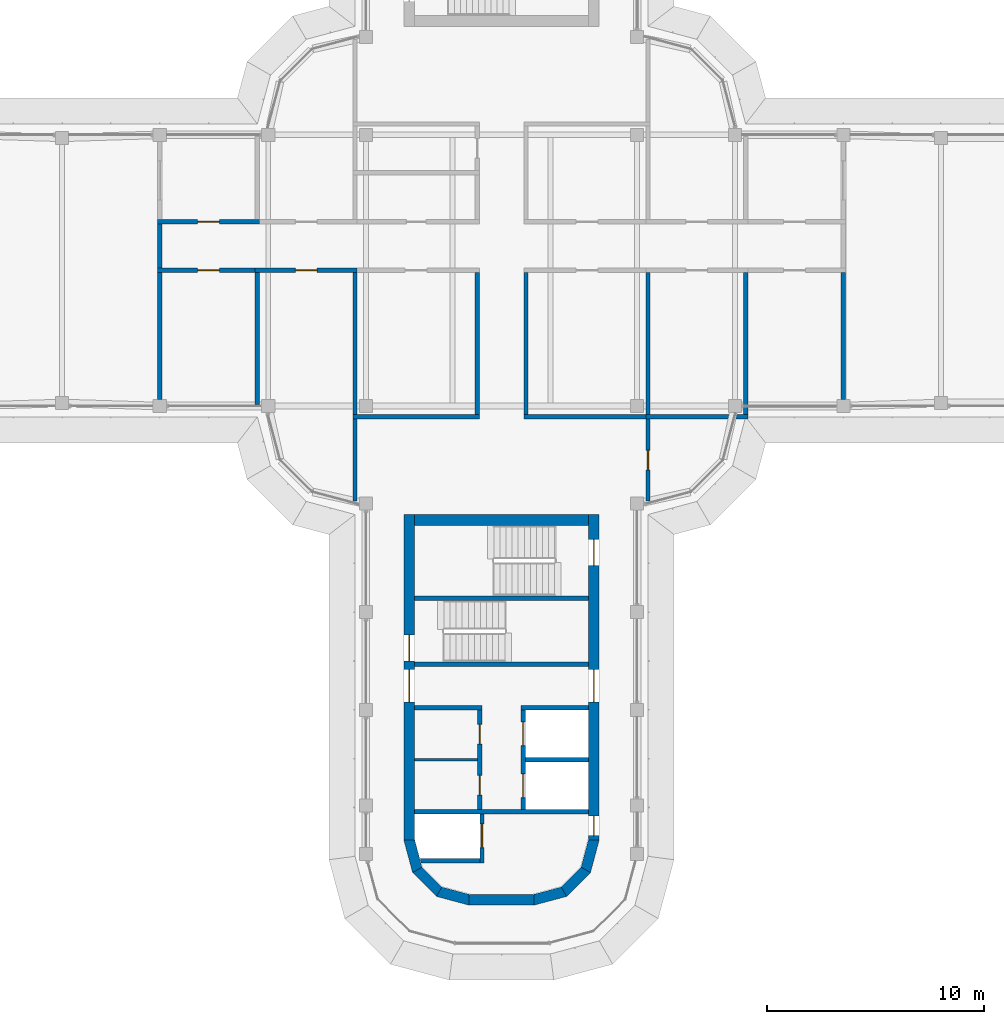
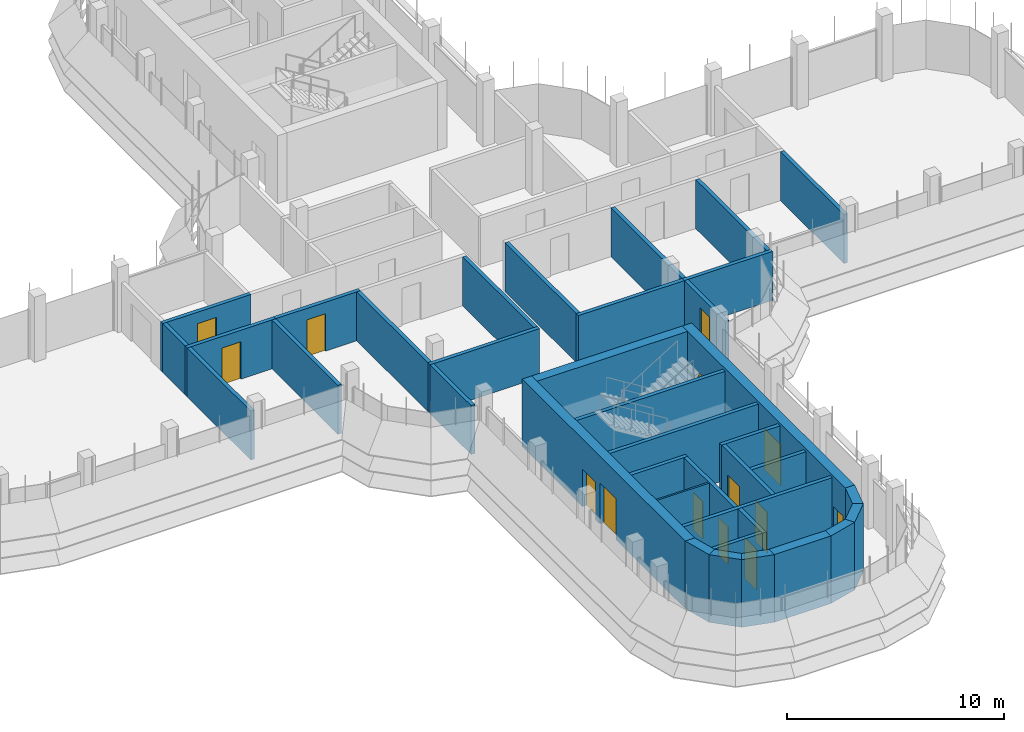
# One storey, part 13 of 19: 38 walls, 14 doors, 14 openings.
"""IFC4 building model written with IfcOpenShell, lengths in metres."""

from ifc_helpers import new_model, si_unit, direction, frame, frame_2d, origin, place, context, subcontext, project, spatial, polyline, rectangle, outline, extrude, material, layer, layer_set, type_object, element, fill, save


model = new_model("IFC4")

# Units and contexts
model_context = context("Model", 3, precision=1e-05, world=origin(), true_north=direction((0.0, 1.0)))
body_context = subcontext(model_context, "Body", "Model", "MODEL_VIEW")
ifc_project = project(units=[si_unit("LENGTHUNIT", "METRE"), si_unit("AREAUNIT", "SQUARE_METRE"), si_unit("VOLUMEUNIT", "CUBIC_METRE"), si_unit("PLANEANGLEUNIT", "RADIAN"), si_unit("MASSUNIT", "GRAM", prefix="KILO")], contexts=[model_context])

# Site, building, storey
site_placement = place(None, origin())
site = spatial("IfcSite", under=ifc_project, at=site_placement, CompositionType="ELEMENT")
building_placement = place(site_placement, origin())
building = spatial("IfcBuilding", under=site, at=building_placement, Name="Zarbagh Exchange Tower", CompositionType="ELEMENT")
storey_placement = place(building_placement, frame((0.0, 0.0, 257.39990234375)))
storey = spatial("IfcBuildingStorey", under=building, at=storey_placement, Name="L63", CompositionType="ELEMENT", Elevation=257.39990234375)

# Wall
ifc_material_1 = material(Name="Dense blockwork", Category="masonry")
ifc_layer_1 = layer(ifc_material_1, 0.10009765625)
ifc_layer_set_1 = layer_set([ifc_layer_1], Name="Core partition 100 mm blockwork")
wall_type_1 = type_object("IfcWallType", Name="Core partition 100 mm blockwork", PredefinedType="PARTITIONING", material=ifc_layer_set_1)
wall_1_placement = place(storey_placement, frame((-1.10009765625, -22.550048828125, 0.0), z_axis=(0.0, 0.0, 1.0), x_axis=(-1.0, 0.0, 0.0)))
element("IfcWall", 1, at=wall_1_placement, inside=storey, type_object=wall_type_1, Name="South core partition wall CUT-E-580", PredefinedType="PARTITIONING", context=body_context, shape_type="SweptSolid", body=[
    extrude(rectangle(XDim=2.89990234375, YDim=0.10009765625, at=frame_2d((1.449951171875, 0.0))), origin(), (0.0, 0.0, 1.0), 3.650146484375),
])

# Wall, opening, door
ifc_material_2 = material(Name="Fire-rated plasterboard partition")
ifc_layer_2 = layer(ifc_material_2, 0.199951171875)
ifc_layer_set_2 = layer_set([ifc_layer_2], Name="RATED PARTITION 200")
wall_type_2 = type_object("IfcWallType", Name="RATED PARTITION 200", PredefinedType="PARTITIONING", material=ifc_layer_set_2)
wall_2_placement = place(storey_placement, frame((-6.64990234375, 0.0, 0.0), z_axis=(0.0, 0.0, 1.0), x_axis=(-1.0, 0.0, 0.0)))
wall_2 = element("IfcWall", 2, at=wall_2_placement, inside=storey, type_object=wall_type_2, Name="Partition W-2708", PredefinedType="PARTITIONING", context=body_context, shape_type="SweptSolid", body=[
    extrude(rectangle(XDim=4.7001953125, YDim=0.199951171875, at=frame_2d((2.35009765625, 0.0))), origin(), (0.0, 0.0, 1.0), 2.75),
])
opening_1_placement = place(wall_2_placement, frame((1.85009765625, 0.0, 0.0)))
opening_1 = element("IfcOpeningElement", 3, at=opening_1_placement, cuts=wall_2, Name="Opening D-2713", PredefinedType="OPENING", context=body_context, shape_type="SweptSolid", body=[
    extrude(rectangle(XDim=1.0, YDim=2.10009765625, at=frame_2d((0.5, 1.050048828125))), frame((0.0, 0.10986328125, 0.0), z_axis=(0.0, -1.0, 0.0), x_axis=(1.0, 0.0, 0.0)), (0.0, 0.0, 1.0), 0.219970703125),
])
ifc_material_3 = material(Name="Steel door set", Category="steel")
door_type_1 = type_object("IfcDoorType", Name="FIRE DOOR 1000 X 2100 FD30S", OperationType="NOTDEFINED", PredefinedType="DOOR", material=ifc_material_3)
door_1_placement = place(opening_1_placement, origin())
door_1 = element("IfcDoor", 4, at=door_1_placement, inside=storey, type_object=door_type_1, Name="Door D-2713", OperationType="SINGLE_SWING_RIGHT", OverallHeight=2.10009765625, OverallWidth=1.0, PredefinedType="DOOR", context=body_context, shape_type="SweptSolid", body=[
    extrude(rectangle(XDim=1.0, YDim=2.10009765625, at=frame_2d((0.5, 1.050048828125))), frame((0.0, 0.02490234375, 0.0), z_axis=(0.0, -1.0, 0.0), x_axis=(1.0, 0.0, 0.0)), (0.0, 0.0, 1.0), 0.050048828125),
])
fill(opening_1, door_1)

wall_3_placement = place(storey_placement, frame((-15.85009765625, 2.25, 0.0), z_axis=(0.0, 0.0, 1.0), x_axis=(1.0, 0.0, 0.0)))
wall_3 = element("IfcWall", 5, at=wall_3_placement, inside=storey, type_object=wall_type_2, Name="Partition W-2712", PredefinedType="PARTITIONING", context=body_context, shape_type="SweptSolid", body=[
    extrude(rectangle(XDim=4.7001953125, YDim=0.199951171875, at=frame_2d((2.35009765625, 0.0))), origin(), (0.0, 0.0, 1.0), 2.75),
])
opening_2_placement = place(wall_3_placement, frame((1.85009765625, 0.0, 0.0)))
opening_2 = element("IfcOpeningElement", 6, at=opening_2_placement, cuts=wall_3, Name="Opening D-2715", PredefinedType="OPENING", context=body_context, shape_type="SweptSolid", body=[
    extrude(rectangle(XDim=1.0, YDim=2.10009765625, at=frame_2d((0.5, 1.050048828125))), frame((0.0, 0.10986328125, 0.0), z_axis=(0.0, -1.0, 0.0), x_axis=(1.0, 0.0, 0.0)), (0.0, 0.0, 1.0), 0.219970703125),
])
door_2_placement = place(opening_2_placement, origin())
door_2 = element("IfcDoor", 7, at=door_2_placement, inside=storey, type_object=door_type_1, Name="Door D-2715", OperationType="SINGLE_SWING_RIGHT", OverallHeight=2.10009765625, OverallWidth=1.0, PredefinedType="DOOR", context=body_context, shape_type="SweptSolid", body=[
    extrude(rectangle(XDim=1.0, YDim=2.10009765625, at=frame_2d((0.5, 1.050048828125))), frame((0.0, 0.02490234375, 0.0), z_axis=(0.0, -1.0, 0.0), x_axis=(1.0, 0.0, 0.0)), (0.0, 0.0, 1.0), 0.050048828125),
])
fill(opening_2, door_2)

wall_4_placement = place(storey_placement, frame((-11.14990234375, 0.0, 0.0), z_axis=(0.0, 0.0, 1.0), x_axis=(-1.0, 0.0, 0.0)))
wall_4 = element("IfcWall", 8, at=wall_4_placement, inside=storey, type_object=wall_type_2, Name="Partition W-2713", PredefinedType="PARTITIONING", context=body_context, shape_type="SweptSolid", body=[
    extrude(rectangle(XDim=4.7001953125, YDim=0.199951171875, at=frame_2d((2.35009765625, 0.0))), origin(), (0.0, 0.0, 1.0), 2.75),
])
opening_3_placement = place(wall_4_placement, frame((1.85009765625, 0.0, 0.0)))
opening_3 = element("IfcOpeningElement", 9, at=opening_3_placement, cuts=wall_4, Name="Opening D-2716", PredefinedType="OPENING", context=body_context, shape_type="SweptSolid", body=[
    extrude(rectangle(XDim=1.0, YDim=2.10009765625, at=frame_2d((0.5, 1.050048828125))), frame((0.0, 0.10986328125, 0.0), z_axis=(0.0, -1.0, 0.0), x_axis=(1.0, 0.0, 0.0)), (0.0, 0.0, 1.0), 0.219970703125),
])
door_3_placement = place(opening_3_placement, origin())
door_3 = element("IfcDoor", 10, at=door_3_placement, inside=storey, type_object=door_type_1, Name="Door D-2716", OperationType="SINGLE_SWING_RIGHT", OverallHeight=2.10009765625, OverallWidth=1.0, PredefinedType="DOOR", context=body_context, shape_type="SweptSolid", body=[
    extrude(rectangle(XDim=1.0, YDim=2.10009765625, at=frame_2d((0.5, 1.050048828125))), frame((0.0, 0.02490234375, 0.0), z_axis=(0.0, -1.0, 0.0), x_axis=(1.0, 0.0, 0.0)), (0.0, 0.0, 1.0), 0.050048828125),
])
fill(opening_3, door_3)

# Walls
wall_5_placement = place(storey_placement, frame((-15.75, 0.10009765625, 0.0), z_axis=(0.0, 0.0, 1.0), x_axis=(0.0, 1.0, 0.0)))
element("IfcWall", 11, at=wall_5_placement, inside=storey, type_object=wall_type_2, Name="Partition W-2714", PredefinedType="PARTITIONING", context=body_context, shape_type="SweptSolid", body=[
    extrude(rectangle(XDim=2.0498046875, YDim=0.199951171875, at=frame_2d((1.02490234375, 0.0))), origin(), (0.0, 0.0, 1.0), 2.75),
])
for number, where, z_axis, x_axis, name in (
    (12, (1.125, -6.64990234375, 0.0), (0.0, 0.0, 1.0), (0.0, 1.0, 0.0), "Partition W-2718"),
    (13, (-1.125, -6.64990234375, 0.0), (0.0, 0.0, 1.0), (0.0, 1.0, 0.0), "Partition W-2719"),
):
    element("IfcWall", number, at=place(storey_placement, frame(where, z_axis=z_axis, x_axis=x_axis)), inside=storey, type_object=wall_type_2, Name=name, PredefinedType="PARTITIONING", context=body_context, shape_type="SweptSolid", body=[
        extrude(rectangle(XDim=6.5498046875, YDim=0.199951171875, at=frame_2d((3.27490234375, 0.0))), origin(), (0.0, 0.0, 1.0), 2.75),
    ])
wall_6_placement = place(storey_placement, frame((1.02490234375, -6.75, 0.0), z_axis=(0.0, 0.0, 1.0), x_axis=(1.0, 0.0, 0.0)))
element("IfcWall", 14, at=wall_6_placement, inside=storey, type_object=wall_type_2, Name="Partition W-2724", PredefinedType="PARTITIONING", context=body_context, shape_type="SweptSolid", body=[
    extrude(rectangle(XDim=5.8251953125, YDim=0.199951171875, at=frame_2d((2.91259765625, 0.0))), origin(), (0.0, 0.0, 1.0), 2.75),
])

# Wall, opening, door
wall_7_placement = place(storey_placement, frame((6.75, -6.85009765625, 0.0), z_axis=(0.0, 0.0, 1.0), x_axis=(0.0, -1.0, 0.0)))
wall_7 = element("IfcWall", 15, at=wall_7_placement, inside=storey, type_object=wall_type_2, Name="Partition W-2725", PredefinedType="PARTITIONING", context=body_context, shape_type="SweptSolid", body=[
    extrude(rectangle(XDim=3.77978515625, YDim=0.199951171875, at=frame_2d((1.889892578125, 0.0))), origin(), (0.0, 0.0, 1.0), 2.75),
])
opening_4_placement = place(wall_7_placement, frame((1.43994140625, 0.0, 0.0)))
opening_4 = element("IfcOpeningElement", 16, at=opening_4_placement, cuts=wall_7, Name="Opening D-2711", PredefinedType="OPENING", context=body_context, shape_type="SweptSolid", body=[
    extrude(rectangle(XDim=0.89990234375, YDim=2.10009765625, at=frame_2d((0.449951171875, 1.050048828125))), frame((0.0, 0.10986328125, 0.0), z_axis=(0.0, -1.0, 0.0), x_axis=(1.0, 0.0, 0.0)), (0.0, 0.0, 1.0), 0.219970703125),
])
ifc_material_4 = material(Name="Timber door leaf", Category="wood")
door_type_2 = type_object("IfcDoorType", Name="DOOR 900 X 2100", OperationType="NOTDEFINED", PredefinedType="DOOR", material=ifc_material_4)
door_4_placement = place(opening_4_placement, origin())
door_4 = element("IfcDoor", 17, at=door_4_placement, inside=storey, type_object=door_type_2, Name="Door D-2711", OperationType="SINGLE_SWING_LEFT", OverallHeight=2.10009765625, OverallWidth=0.89990234375, PredefinedType="DOOR", context=body_context, shape_type="SweptSolid", body=[
    extrude(rectangle(XDim=0.89990234375, YDim=2.10009765625, at=frame_2d((0.449951171875, 1.050048828125))), frame((0.0, 0.02490234375, 0.0), z_axis=(0.0, -1.0, 0.0), x_axis=(1.0, 0.0, 0.0)), (0.0, 0.0, 1.0), 0.050048828125),
])
fill(opening_4, door_4)

# Walls
wall_8_placement = place(storey_placement, frame((-6.85009765625, -6.75, 0.0), z_axis=(0.0, 0.0, 1.0), x_axis=(1.0, 0.0, 0.0)))
element("IfcWall", 18, at=wall_8_placement, inside=storey, type_object=wall_type_2, Name="Partition W-2726", PredefinedType="PARTITIONING", context=body_context, shape_type="SweptSolid", body=[
    extrude(rectangle(XDim=5.8251953125, YDim=0.199951171875, at=frame_2d((2.91259765625, 0.0))), origin(), (0.0, 0.0, 1.0), 2.75),
])
wall_9_placement = place(storey_placement, frame((-6.75, -10.6298828125, 0.0), z_axis=(0.0, 0.0, 1.0), x_axis=(0.0, 1.0, 0.0)))
element("IfcWall", 19, at=wall_9_placement, inside=storey, type_object=wall_type_2, Name="Partition W-2727", PredefinedType="PARTITIONING", context=body_context, shape_type="SweptSolid", body=[
    extrude(rectangle(XDim=3.77978515625, YDim=0.199951171875, at=frame_2d((1.889892578125, 0.0))), origin(), (0.0, 0.0, 1.0), 2.75),
])
wall_10_placement = place(storey_placement, frame((6.75, -6.64990234375, 0.0), z_axis=(0.0, 0.0, 1.0), x_axis=(0.0, 1.0, 0.0)))
element("IfcWall", 20, at=wall_10_placement, inside=storey, type_object=wall_type_2, Name="Partition W-2734", PredefinedType="PARTITIONING", context=body_context, shape_type="SweptSolid", body=[
    extrude(rectangle(XDim=6.5498046875, YDim=0.199951171875, at=frame_2d((3.27490234375, 0.0))), origin(), (0.0, 0.0, 1.0), 2.75),
])
wall_11_placement = place(storey_placement, frame((6.64990234375, -6.75, 0.0), z_axis=(0.0, 0.0, 1.0), x_axis=(1.0, 0.0, 0.0)))
element("IfcWall", 21, at=wall_11_placement, inside=storey, type_object=wall_type_2, Name="Partition W-2735", PredefinedType="PARTITIONING", context=body_context, shape_type="SweptSolid", body=[
    extrude(rectangle(XDim=4.7001953125, YDim=0.199951171875, at=frame_2d((2.35009765625, 0.0))), origin(), (0.0, 0.0, 1.0), 2.75),
])
for number, where, z_axis, x_axis, name in (
    (22, (11.25, -6.64990234375, 0.0), (0.0, 0.0, 1.0), (0.0, 1.0, 0.0), "Partition W-2736"),
    (23, (-6.75, -6.64990234375, 0.0), (0.0, 0.0, 1.0), (0.0, 1.0, 0.0), "Partition W-2737"),
):
    element("IfcWall", number, at=place(storey_placement, frame(where, z_axis=z_axis, x_axis=x_axis)), inside=storey, type_object=wall_type_2, Name=name, PredefinedType="PARTITIONING", context=body_context, shape_type="SweptSolid", body=[
        extrude(rectangle(XDim=6.5498046875, YDim=0.199951171875, at=frame_2d((3.27490234375, 0.0))), origin(), (0.0, 0.0, 1.0), 2.75),
    ])
wall_12_placement = place(storey_placement, frame((-11.25, -6.169921875, 0.0), z_axis=(0.0, 0.0, 1.0), x_axis=(0.0, 1.0, 0.0)))
element("IfcWall", 24, at=wall_12_placement, inside=storey, type_object=wall_type_2, Name="Partition W-2738", PredefinedType="PARTITIONING", context=body_context, shape_type="SweptSolid", body=[
    extrude(rectangle(XDim=6.06982421875, YDim=0.199951171875, at=frame_2d((3.034912109375, 0.0))), origin(), (0.0, 0.0, 1.0), 2.75),
])
for number, where, z_axis, x_axis, name in (
    (25, (15.75, -5.949951171875, 0.0), (0.0, 0.0, 1.0), (0.0, 1.0, 0.0), "Partition W-2740"),
    (26, (-15.75, -5.949951171875, 0.0), (0.0, 0.0, 1.0), (0.0, 1.0, 0.0), "Partition W-2742"),
):
    element("IfcWall", number, at=place(storey_placement, frame(where, z_axis=z_axis, x_axis=x_axis)), inside=storey, type_object=wall_type_2, Name=name, PredefinedType="PARTITIONING", context=body_context, shape_type="SweptSolid", body=[
        extrude(rectangle(XDim=5.849853515625, YDim=0.199951171875, at=frame_2d((2.9248046875, 0.0))), origin(), (0.0, 0.0, 1.0), 2.75),
    ])
ifc_material_5 = material(Name="Concrete C40/50", Category="concrete")
ifc_layer_3 = layer(ifc_material_5, 0.5)
ifc_layer_set_3 = layer_set([ifc_layer_3], Name="RC core corner wall 500 C40/50")
wall_type_3 = type_object("IfcWallType", Name="RC core corner wall 500 C40/50", PredefinedType="SHEAR", material=ifc_layer_set_3)
wall_13_placement = place(storey_placement, origin())
element("IfcWall", 27, at=wall_13_placement, inside=storey, type_object=wall_type_3, Name="CW10 core S corner W", PredefinedType="SHEAR", context=body_context, shape_type="SweptSolid", body=[
    extrude(outline(polyline([(-4.5, -26.25), (-4.09814453125, -27.75), (-3.6650390625, -27.5), (-4.0, -26.25), (-4.5, -26.25)])), origin(), (0.0, 0.0, 1.0), 3.800048828125),
])
wall_14_placement = place(storey_placement, origin())
element("IfcWall", 28, at=wall_14_placement, inside=storey, type_object=wall_type_3, Name="CW10 core S corner W", PredefinedType="SHEAR", context=body_context, shape_type="SweptSolid", body=[
    extrude(outline(polyline([(-4.09814453125, -27.75), (-3.0, -28.84814453125), (-2.75, -28.4150390625), (-3.6650390625, -27.5), (-4.09814453125, -27.75)])), origin(), (0.0, 0.0, 1.0), 3.800048828125),
])
wall_15_placement = place(storey_placement, origin())
element("IfcWall", 29, at=wall_15_placement, inside=storey, type_object=wall_type_3, Name="CW10 core S corner W", PredefinedType="SHEAR", context=body_context, shape_type="SweptSolid", body=[
    extrude(outline(polyline([(-3.0, -28.84814453125), (-1.5, -29.25), (-1.5, -28.75), (-2.75, -28.4150390625), (-3.0, -28.84814453125)])), origin(), (0.0, 0.0, 1.0), 3.800048828125),
])
wall_16_placement = place(storey_placement, origin())
element("IfcWall", 30, at=wall_16_placement, inside=storey, type_object=wall_type_3, Name="CW10 core S corner E", PredefinedType="SHEAR", context=body_context, shape_type="SweptSolid", body=[
    extrude(outline(polyline([(4.5, -26.25), (4.09814453125, -27.75), (3.6650390625, -27.5), (4.0, -26.25), (4.5, -26.25)])), origin(), (0.0, 0.0, 1.0), 3.800048828125),
])
wall_17_placement = place(storey_placement, origin())
element("IfcWall", 31, at=wall_17_placement, inside=storey, type_object=wall_type_3, Name="CW10 core S corner E", PredefinedType="SHEAR", context=body_context, shape_type="SweptSolid", body=[
    extrude(outline(polyline([(4.09814453125, -27.75), (3.0, -28.84814453125), (2.75, -28.4150390625), (3.6650390625, -27.5), (4.09814453125, -27.75)])), origin(), (0.0, 0.0, 1.0), 3.800048828125),
])
wall_18_placement = place(storey_placement, origin())
element("IfcWall", 32, at=wall_18_placement, inside=storey, type_object=wall_type_3, Name="CW10 core S corner E", PredefinedType="SHEAR", context=body_context, shape_type="SweptSolid", body=[
    extrude(outline(polyline([(3.0, -28.84814453125), (1.5, -29.25), (1.5, -28.75), (2.75, -28.4150390625), (3.0, -28.84814453125)])), origin(), (0.0, 0.0, 1.0), 3.800048828125),
])

# Wall, openings, doors
ifc_layer_4 = layer(ifc_material_5, 0.5)
ifc_layer_set_4 = layer_set([ifc_layer_4], Name="RC core wall 500 C40/50")
wall_type_4 = type_object("IfcWallType", Name="RC core wall 500 C40/50", PredefinedType="SHEAR", material=ifc_layer_set_4)
wall_19_placement = place(storey_placement, frame((-4.25, -11.25, 0.0), z_axis=(0.0, 0.0, 1.0), x_axis=(0.0, -1.0, 0.0)))
wall_19 = element("IfcWall", 33, at=wall_19_placement, inside=storey, type_object=wall_type_4, Name="CW9 core S W", PredefinedType="SHEAR", context=body_context, shape_type="SweptSolid", body=[
    extrude(rectangle(XDim=15.0, YDim=0.5, at=frame_2d((7.5, 0.0))), origin(), (0.0, 0.0, 1.0), 3.800048828125),
])
opening_5_placement = place(wall_19_placement, frame((7.14990234375, 0.0, 0.0)))
opening_5 = element("IfcOpeningElement", 34, at=opening_5_placement, cuts=wall_19, Name="Opening CD1-1500", PredefinedType="OPENING", context=body_context, shape_type="SweptSolid", body=[
    extrude(rectangle(XDim=1.5, YDim=2.300048828125, at=frame_2d((0.75, 1.14990234375))), frame((0.0, 0.260009765625, 0.0), z_axis=(0.0, -1.0, 0.0), x_axis=(1.0, 0.0, 0.0)), (0.0, 0.0, 1.0), 0.52001953125),
])
opening_6_placement = place(wall_19_placement, frame((5.550048828125, 0.0, 0.0)))
opening_6 = element("IfcOpeningElement", 35, at=opening_6_placement, cuts=wall_19, Name="Opening SD1-1200", PredefinedType="OPENING", context=body_context, shape_type="SweptSolid", body=[
    extrude(rectangle(XDim=1.199951171875, YDim=2.10009765625, at=frame_2d((0.60009765625, 1.050048828125))), frame((0.0, 0.260009765625, 0.0), z_axis=(0.0, -1.0, 0.0), x_axis=(1.0, 0.0, 0.0)), (0.0, 0.0, 1.0), 0.52001953125),
])
ifc_material_6 = material(Name="Steel", Category="steel")
door_type_3 = type_object("IfcDoorType", Name="Exit stair door 1200 x 2100", OperationType="NOTDEFINED", PredefinedType="DOOR", material=ifc_material_6)
door_5_placement = place(opening_6_placement, origin())
door_5 = element("IfcDoor", 36, at=door_5_placement, inside=storey, type_object=door_type_3, Name="South core stair door ST1", OperationType="SINGLE_SWING_RIGHT", OverallHeight=2.10009765625, OverallWidth=1.199951171875, PredefinedType="DOOR", context=body_context, shape_type="SweptSolid", body=[
    extrude(rectangle(XDim=1.199951171875, YDim=2.10009765625, at=frame_2d((0.60009765625, 1.050048828125))), frame((0.0, 0.02490234375, 0.0), z_axis=(0.0, -1.0, 0.0), x_axis=(1.0, 0.0, 0.0)), (0.0, 0.0, 1.0), 0.050048828125),
])
fill(opening_6, door_5)
door_type_4 = type_object("IfcDoorType", Name="Lift lobby double door 1500 x 2300", OperationType="NOTDEFINED", PredefinedType="DOOR", material=ifc_material_6)
door_6_placement = place(opening_5_placement, origin())
door_6 = element("IfcDoor", 37, at=door_6_placement, inside=storey, type_object=door_type_4, Name="South core lift lobby door LOBBY-E", OperationType="DOUBLE_DOOR_SINGLE_SWING", OverallHeight=2.300048828125, OverallWidth=1.5, PredefinedType="DOOR", context=body_context, shape_type="SweptSolid", body=[
    extrude(rectangle(XDim=1.5, YDim=2.300048828125, at=frame_2d((0.75, 1.14990234375))), frame((0.0, 0.02490234375, 0.0), z_axis=(0.0, -1.0, 0.0), x_axis=(1.0, 0.0, 0.0)), (0.0, 0.0, 1.0), 0.050048828125),
])
fill(opening_5, door_6)

wall_20_placement = place(storey_placement, frame((4.25, -11.25, 0.0), z_axis=(0.0, 0.0, 1.0), x_axis=(0.0, -1.0, 0.0)))
wall_20 = element("IfcWall", 38, at=wall_20_placement, inside=storey, type_object=wall_type_4, Name="CW9 core S E", PredefinedType="SHEAR", context=body_context, shape_type="SweptSolid", body=[
    extrude(rectangle(XDim=15.0, YDim=0.5, at=frame_2d((7.5, 0.0))), origin(), (0.0, 0.0, 1.0), 3.800048828125),
])
opening_7_placement = place(wall_20_placement, frame((7.14990234375, 0.0, 0.0)))
opening_7 = element("IfcOpeningElement", 39, at=opening_7_placement, cuts=wall_20, Name="Opening CD1-1500", PredefinedType="OPENING", context=body_context, shape_type="SweptSolid", body=[
    extrude(rectangle(XDim=1.5, YDim=2.300048828125, at=frame_2d((0.75, 1.14990234375))), frame((0.0, 0.260009765625, 0.0), z_axis=(0.0, -1.0, 0.0), x_axis=(1.0, 0.0, 0.0)), (0.0, 0.0, 1.0), 0.52001953125),
])
opening_8_placement = place(wall_20_placement, frame((13.89990234375, 0.0, 0.0)))
opening_8 = element("IfcOpeningElement", 40, at=opening_8_placement, cuts=wall_20, Name="Opening CD2-900", PredefinedType="OPENING", context=body_context, shape_type="SweptSolid", body=[
    extrude(rectangle(XDim=0.89990234375, YDim=2.10009765625, at=frame_2d((0.449951171875, 1.050048828125))), frame((0.0, 0.260009765625, 0.0), z_axis=(0.0, -1.0, 0.0), x_axis=(1.0, 0.0, 0.0)), (0.0, 0.0, 1.0), 0.52001953125),
])
opening_9_placement = place(wall_20_placement, frame((1.14990234375, 0.0, 0.0)))
opening_9 = element("IfcOpeningElement", 41, at=opening_9_placement, cuts=wall_20, Name="Opening SD1-1200", PredefinedType="OPENING", context=body_context, shape_type="SweptSolid", body=[
    extrude(rectangle(XDim=1.199951171875, YDim=2.10009765625, at=frame_2d((0.60009765625, 1.050048828125))), frame((0.0, 0.260009765625, 0.0), z_axis=(0.0, -1.0, 0.0), x_axis=(1.0, 0.0, 0.0)), (0.0, 0.0, 1.0), 0.52001953125),
])
door_7_placement = place(opening_9_placement, origin())
door_7 = element("IfcDoor", 42, at=door_7_placement, inside=storey, type_object=door_type_3, Name="South core stair door ST2", OperationType="SINGLE_SWING_LEFT", OverallHeight=2.10009765625, OverallWidth=1.199951171875, PredefinedType="DOOR", context=body_context, shape_type="SweptSolid", body=[
    extrude(rectangle(XDim=1.199951171875, YDim=2.10009765625, at=frame_2d((0.60009765625, 1.050048828125))), frame((0.0, 0.02490234375, 0.0), z_axis=(0.0, -1.0, 0.0), x_axis=(1.0, 0.0, 0.0)), (0.0, 0.0, 1.0), 0.050048828125),
])
fill(opening_9, door_7)
door_type_5 = type_object("IfcDoorType", Name="Firefighting lobby door 900 x 2100", OperationType="NOTDEFINED", PredefinedType="DOOR", material=ifc_material_6)
door_8_placement = place(opening_8_placement, origin())
door_8 = element("IfcDoor", 43, at=door_8_placement, inside=storey, type_object=door_type_5, Name="South core firefighting lobby door FF-W", OperationType="SINGLE_SWING_RIGHT", OverallHeight=2.10009765625, OverallWidth=0.89990234375, PredefinedType="DOOR", context=body_context, shape_type="SweptSolid", body=[
    extrude(rectangle(XDim=0.89990234375, YDim=2.10009765625, at=frame_2d((0.449951171875, 1.050048828125))), frame((0.0, 0.02490234375, 0.0), z_axis=(0.0, -1.0, 0.0), x_axis=(1.0, 0.0, 0.0)), (0.0, 0.0, 1.0), 0.050048828125),
])
fill(opening_8, door_8)
door_9_placement = place(opening_7_placement, origin())
door_9 = element("IfcDoor", 44, at=door_9_placement, inside=storey, type_object=door_type_4, Name="South core lift lobby door LOBBY-W", OperationType="DOUBLE_DOOR_SINGLE_SWING", OverallHeight=2.300048828125, OverallWidth=1.5, PredefinedType="DOOR", context=body_context, shape_type="SweptSolid", body=[
    extrude(rectangle(XDim=1.5, YDim=2.300048828125, at=frame_2d((0.75, 1.14990234375))), frame((0.0, 0.02490234375, 0.0), z_axis=(0.0, -1.0, 0.0), x_axis=(1.0, 0.0, 0.0)), (0.0, 0.0, 1.0), 0.050048828125),
])
fill(opening_7, door_9)

# Walls
wall_21_placement = place(storey_placement, frame((-4.0, -11.5, 0.0), z_axis=(0.0, 0.0, 1.0), x_axis=(1.0, 0.0, 0.0)))
element("IfcWall", 45, at=wall_21_placement, inside=storey, type_object=wall_type_4, Name="CW9 core S inner end", PredefinedType="SHEAR", context=body_context, shape_type="SweptSolid", body=[
    extrude(rectangle(XDim=8.0, YDim=0.5, at=frame_2d((4.0, 0.0))), origin(), (0.0, 0.0, 1.0), 3.800048828125),
])
wall_22_placement = place(storey_placement, frame((-1.5, -29.0, 0.0), z_axis=(0.0, 0.0, 1.0), x_axis=(1.0, 0.0, 0.0)))
element("IfcWall", 46, at=wall_22_placement, inside=storey, type_object=wall_type_4, Name="CW9 core S outer end", PredefinedType="SHEAR", context=body_context, shape_type="SweptSolid", body=[
    extrude(rectangle(XDim=3.0, YDim=0.5, at=frame_2d((1.5, 0.0))), origin(), (0.0, 0.0, 1.0), 3.800048828125),
])
ifc_layer_5 = layer(ifc_material_1, 0.199951171875)
ifc_layer_set_5 = layer_set([ifc_layer_5], Name="Shaft wall 200 mm blockwork")
wall_type_5 = type_object("IfcWallType", Name="Shaft wall 200 mm blockwork", PredefinedType="PARTITIONING", material=ifc_layer_set_5)
wall_23_placement = place(storey_placement, frame((4.0, -20.14990234375, 0.0), z_axis=(0.0, 0.0, 1.0), x_axis=(-1.0, 0.0, 0.0)))
element("IfcWall", 47, at=wall_23_placement, inside=storey, type_object=wall_type_5, Name="South core shaft wall AB-W", PredefinedType="PARTITIONING", context=body_context, shape_type="SweptSolid", body=[
    extrude(rectangle(XDim=3.10009765625, YDim=0.199951171875, at=frame_2d((1.550048828125, 0.0))), origin(), (0.0, 0.0, 1.0), 3.650146484375),
])

# Wall, openings, doors
wall_24_placement = place(storey_placement, frame((1.0, -24.85009765625, 0.0), z_axis=(0.0, 0.0, 1.0), x_axis=(0.0, 1.0, 0.0)))
wall_24 = element("IfcWall", 48, at=wall_24_placement, inside=storey, type_object=wall_type_5, Name="South core shaft wall LW-W", PredefinedType="PARTITIONING", context=body_context, shape_type="SweptSolid", body=[
    extrude(rectangle(XDim=4.60009765625, YDim=0.199951171875, at=frame_2d((2.300048828125, 0.0))), origin(), (0.0, 0.0, 1.0), 3.650146484375),
])
opening_10_placement = place(wall_24_placement, frame((0.550048828125, 0.0, 0.0)))
opening_10 = element("IfcOpeningElement", 49, at=opening_10_placement, cuts=wall_24, Name="Opening LD-1100", PredefinedType="OPENING", context=body_context, shape_type="SweptSolid", body=[
    extrude(rectangle(XDim=1.10009765625, YDim=2.300048828125, at=frame_2d((0.550048828125, 1.14990234375))), frame((0.0, 0.10986328125, 0.0), z_axis=(0.0, -1.0, 0.0), x_axis=(1.0, 0.0, 0.0)), (0.0, 0.0, 1.0), 0.219970703125),
])
opening_11_placement = place(wall_24_placement, frame((2.949951171875, 0.0, 0.0)))
opening_11 = element("IfcOpeningElement", 50, at=opening_11_placement, cuts=wall_24, Name="Opening LD-1100", PredefinedType="OPENING", context=body_context, shape_type="SweptSolid", body=[
    extrude(rectangle(XDim=1.10009765625, YDim=2.300048828125, at=frame_2d((0.550048828125, 1.14990234375))), frame((0.0, 0.10986328125, 0.0), z_axis=(0.0, -1.0, 0.0), x_axis=(1.0, 0.0, 0.0)), (0.0, 0.0, 1.0), 0.219970703125),
])
ifc_material_7 = material(Name="Stainless steel", Category="steel")
door_type_6 = type_object("IfcDoorType", Name="Lift landing door 1100 x 2300", OperationType="NOTDEFINED", PredefinedType="DOOR", material=ifc_material_7)
door_10_placement = place(opening_10_placement, origin())
door_10 = element("IfcDoor", 51, at=door_10_placement, inside=storey, type_object=door_type_6, Name="South core lift landing door LD-P-S1", OperationType="DOUBLE_DOOR_SLIDING", OverallHeight=2.300048828125, OverallWidth=1.10009765625, PredefinedType="DOOR", context=body_context, shape_type="SweptSolid", body=[
    extrude(rectangle(XDim=1.10009765625, YDim=2.300048828125, at=frame_2d((0.550048828125, 1.14990234375))), frame((0.0, 0.02490234375, 0.0), z_axis=(0.0, -1.0, 0.0), x_axis=(1.0, 0.0, 0.0)), (0.0, 0.0, 1.0), 0.050048828125),
])
fill(opening_10, door_10)
door_11_placement = place(opening_11_placement, origin())
door_11 = element("IfcDoor", 52, at=door_11_placement, inside=storey, type_object=door_type_6, Name="South core lift landing door LD-P-S2", OperationType="DOUBLE_DOOR_SLIDING", OverallHeight=2.300048828125, OverallWidth=1.10009765625, PredefinedType="DOOR", context=body_context, shape_type="SweptSolid", body=[
    extrude(rectangle(XDim=1.10009765625, YDim=2.300048828125, at=frame_2d((0.550048828125, 1.14990234375))), frame((0.0, 0.02490234375, 0.0), z_axis=(0.0, -1.0, 0.0), x_axis=(1.0, 0.0, 0.0)), (0.0, 0.0, 1.0), 0.050048828125),
])
fill(opening_11, door_11)

# Wall
wall_25_placement = place(storey_placement, frame((-0.89990234375, -20.14990234375, 0.0), z_axis=(0.0, 0.0, 1.0), x_axis=(-1.0, 0.0, 0.0)))
element("IfcWall", 53, at=wall_25_placement, inside=storey, type_object=wall_type_5, Name="South core shaft wall AB-E", PredefinedType="PARTITIONING", context=body_context, shape_type="SweptSolid", body=[
    extrude(rectangle(XDim=3.10009765625, YDim=0.199951171875, at=frame_2d((1.550048828125, 0.0))), origin(), (0.0, 0.0, 1.0), 3.650146484375),
])

# Wall, openings, doors
wall_26_placement = place(storey_placement, frame((-1.0, -24.85009765625, 0.0), z_axis=(0.0, 0.0, 1.0), x_axis=(0.0, 1.0, 0.0)))
wall_26 = element("IfcWall", 54, at=wall_26_placement, inside=storey, type_object=wall_type_5, Name="South core shaft wall LW-E", PredefinedType="PARTITIONING", context=body_context, shape_type="SweptSolid", body=[
    extrude(rectangle(XDim=4.60009765625, YDim=0.199951171875, at=frame_2d((2.300048828125, 0.0))), origin(), (0.0, 0.0, 1.0), 3.650146484375),
])
opening_12_placement = place(wall_26_placement, frame((0.675048828125, 0.0, 0.0)))
opening_12 = element("IfcOpeningElement", 55, at=opening_12_placement, cuts=wall_26, Name="Opening CD3-900", PredefinedType="OPENING", context=body_context, shape_type="SweptSolid", body=[
    extrude(rectangle(XDim=0.89990234375, YDim=2.10009765625, at=frame_2d((0.449951171875, 1.050048828125))), frame((0.0, 0.10986328125, 0.0), z_axis=(0.0, -1.0, 0.0), x_axis=(1.0, 0.0, 0.0)), (0.0, 0.0, 1.0), 0.219970703125),
])
opening_13_placement = place(wall_26_placement, frame((3.02490234375, 0.0, 0.0)))
opening_13 = element("IfcOpeningElement", 56, at=opening_13_placement, cuts=wall_26, Name="Opening CD3-900", PredefinedType="OPENING", context=body_context, shape_type="SweptSolid", body=[
    extrude(rectangle(XDim=0.89990234375, YDim=2.10009765625, at=frame_2d((0.449951171875, 1.050048828125))), frame((0.0, 0.10986328125, 0.0), z_axis=(0.0, -1.0, 0.0), x_axis=(1.0, 0.0, 0.0)), (0.0, 0.0, 1.0), 0.219970703125),
])
door_type_7 = type_object("IfcDoorType", Name="Core room door 900 x 2100", OperationType="NOTDEFINED", PredefinedType="DOOR", material=ifc_material_6)
door_12_placement = place(opening_12_placement, origin())
door_12 = element("IfcDoor", 57, at=door_12_placement, inside=storey, type_object=door_type_7, Name="South core Staff WC door RD-E-0", OperationType="SINGLE_SWING_LEFT", OverallHeight=2.10009765625, OverallWidth=0.89990234375, PredefinedType="DOOR", context=body_context, shape_type="SweptSolid", body=[
    extrude(rectangle(XDim=0.89990234375, YDim=2.10009765625, at=frame_2d((0.449951171875, 1.050048828125))), frame((0.0, 0.02490234375, 0.0), z_axis=(0.0, -1.0, 0.0), x_axis=(1.0, 0.0, 0.0)), (0.0, 0.0, 1.0), 0.050048828125),
])
fill(opening_12, door_12)
door_13_placement = place(opening_13_placement, origin())
door_13 = element("IfcDoor", 58, at=door_13_placement, inside=storey, type_object=door_type_7, Name="South core Accessible WC door RD-E-1", OperationType="SINGLE_SWING_LEFT", OverallHeight=2.10009765625, OverallWidth=0.89990234375, PredefinedType="DOOR", context=body_context, shape_type="SweptSolid", body=[
    extrude(rectangle(XDim=0.89990234375, YDim=2.10009765625, at=frame_2d((0.449951171875, 1.050048828125))), frame((0.0, 0.02490234375, 0.0), z_axis=(0.0, -1.0, 0.0), x_axis=(1.0, 0.0, 0.0)), (0.0, 0.0, 1.0), 0.050048828125),
])
fill(opening_13, door_13)

# Walls
wall_27_placement = place(storey_placement, frame((4.0, -22.550048828125, 0.0), z_axis=(0.0, 0.0, 1.0), x_axis=(-1.0, 0.0, 0.0)))
element("IfcWall", 59, at=wall_27_placement, inside=storey, type_object=wall_type_5, Name="South core shaft wall TR-W", PredefinedType="PARTITIONING", context=body_context, shape_type="SweptSolid", body=[
    extrude(rectangle(XDim=2.89990234375, YDim=0.199951171875, at=frame_2d((1.449951171875, 0.0))), origin(), (0.0, 0.0, 1.0), 3.650146484375),
])
ifc_layer_6 = layer(ifc_material_5, 0.199951171875)
ifc_layer_set_6 = layer_set([ifc_layer_6], Name="Stair enclosure wall 200 mm RC C40/50")
wall_type_6 = type_object("IfcWallType", Name="Stair enclosure wall 200 mm RC C40/50", PredefinedType="SHEAR", material=ifc_layer_set_6)
wall_28_placement = place(storey_placement, frame((4.0, -24.949951171875, 0.0), z_axis=(0.0, 0.0, 1.0), x_axis=(-1.0, 0.0, 0.0)))
element("IfcWall", 60, at=wall_28_placement, inside=storey, type_object=wall_type_6, Name="South core lift shaft wall FFA", PredefinedType="SHEAR", context=body_context, shape_type="SweptSolid", body=[
    extrude(rectangle(XDim=8.0, YDim=0.199951171875, at=frame_2d((4.0, 0.0))), origin(), (0.0, 0.0, 1.0), 3.650146484375),
])

# Wall, opening, door
wall_29_placement = place(storey_placement, frame((-0.89990234375, -27.300048828125, 0.0), z_axis=(0.0, 0.0, 1.0), x_axis=(0.0, 1.0, 0.0)))
wall_29 = element("IfcWall", 61, at=wall_29_placement, inside=storey, type_object=wall_type_6, Name="South core lift shaft wall FFL", PredefinedType="SHEAR", context=body_context, shape_type="SweptSolid", body=[
    extrude(rectangle(XDim=2.25, YDim=0.199951171875, at=frame_2d((1.125, 0.0))), origin(), (0.0, 0.0, 1.0), 3.650146484375),
])
opening_14_placement = place(wall_29_placement, frame((0.699951171875, 0.0, 0.0)))
opening_14 = element("IfcOpeningElement", 62, at=opening_14_placement, cuts=wall_29, Name="Opening LD-1100", PredefinedType="OPENING", context=body_context, shape_type="SweptSolid", body=[
    extrude(rectangle(XDim=1.10009765625, YDim=2.300048828125, at=frame_2d((0.550048828125, 1.14990234375))), frame((0.0, 0.10986328125, 0.0), z_axis=(0.0, -1.0, 0.0), x_axis=(1.0, 0.0, 0.0)), (0.0, 0.0, 1.0), 0.219970703125),
])
door_14_placement = place(opening_14_placement, origin())
door_14 = element("IfcDoor", 63, at=door_14_placement, inside=storey, type_object=door_type_6, Name="South core lift landing door LD-F", OperationType="DOUBLE_DOOR_SLIDING", OverallHeight=2.300048828125, OverallWidth=1.10009765625, PredefinedType="DOOR", context=body_context, shape_type="SweptSolid", body=[
    extrude(rectangle(XDim=1.10009765625, YDim=2.300048828125, at=frame_2d((0.550048828125, 1.14990234375))), frame((0.0, 0.02490234375, 0.0), z_axis=(0.0, -1.0, 0.0), x_axis=(1.0, 0.0, 0.0)), (0.0, 0.0, 1.0), 0.050048828125),
])
fill(opening_14, door_14)

# Walls
wall_30_placement = place(storey_placement, origin())
element("IfcWall", 64, at=wall_30_placement, inside=storey, type_object=wall_type_6, Name="South core lift shaft wall FFX", PredefinedType="SHEAR", context=body_context, shape_type="SweptSolid", body=[
    extrude(outline(polyline([(-1.0, -27.10009765625), (-3.754638671875, -27.10009765625), (-3.700927734375, -27.300048828125), (-1.0, -27.300048828125), (-1.0, -27.10009765625)])), origin(), (0.0, 0.0, 1.0), 3.650146484375),
])
for number, where, z_axis, x_axis, name in (
    (65, (4.0, -18.14990234375, 0.0), (0.0, 0.0, 1.0), (-1.0, 0.0, 0.0), "South core stair wall BS"),
    (66, (4.0, -15.10009765625, 0.0), (0.0, 0.0, 1.0), (-1.0, 0.0, 0.0), "South core stair wall ST12"),
):
    element("IfcWall", number, at=place(storey_placement, frame(where, z_axis=z_axis, x_axis=x_axis)), inside=storey, type_object=wall_type_6, Name=name, PredefinedType="SHEAR", context=body_context, shape_type="SweptSolid", body=[
        extrude(rectangle(XDim=8.0, YDim=0.199951171875, at=frame_2d((4.0, 0.0))), origin(), (0.0, 0.0, 1.0), 3.650146484375),
    ])

save(model, "model.ifc")
